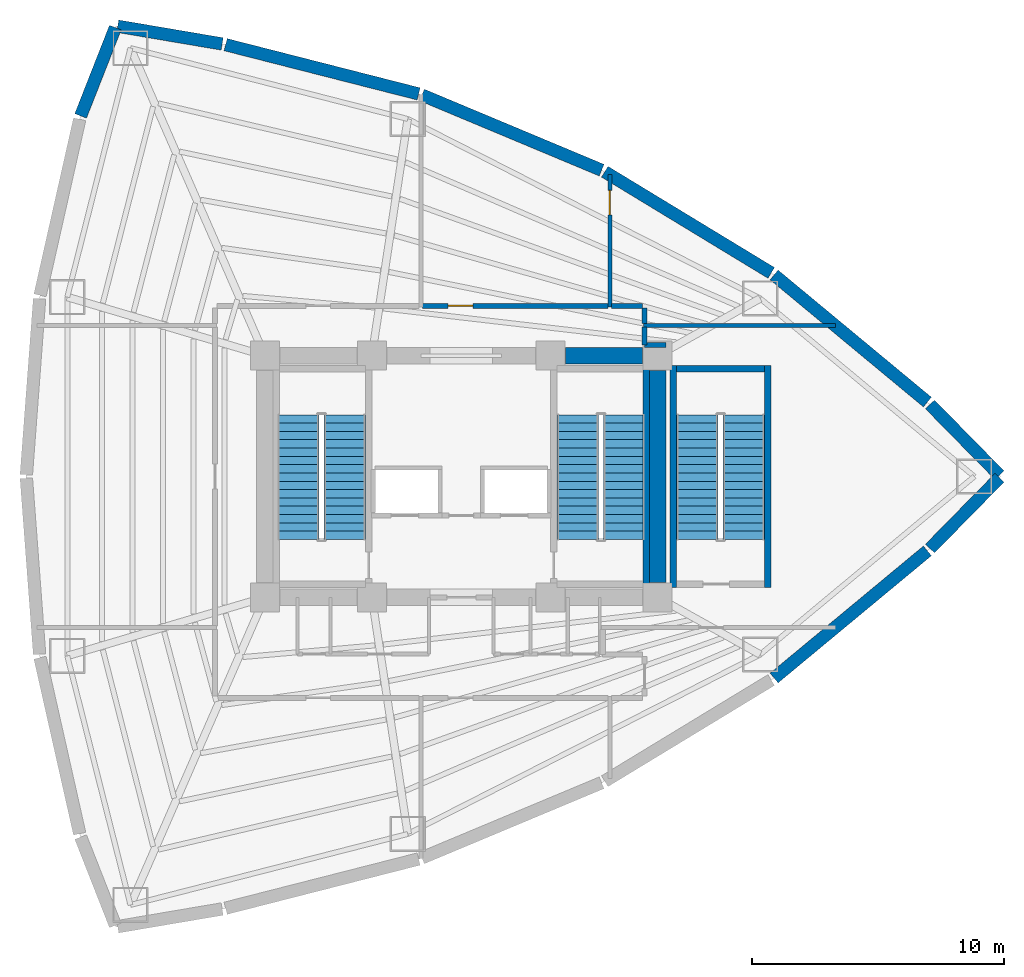
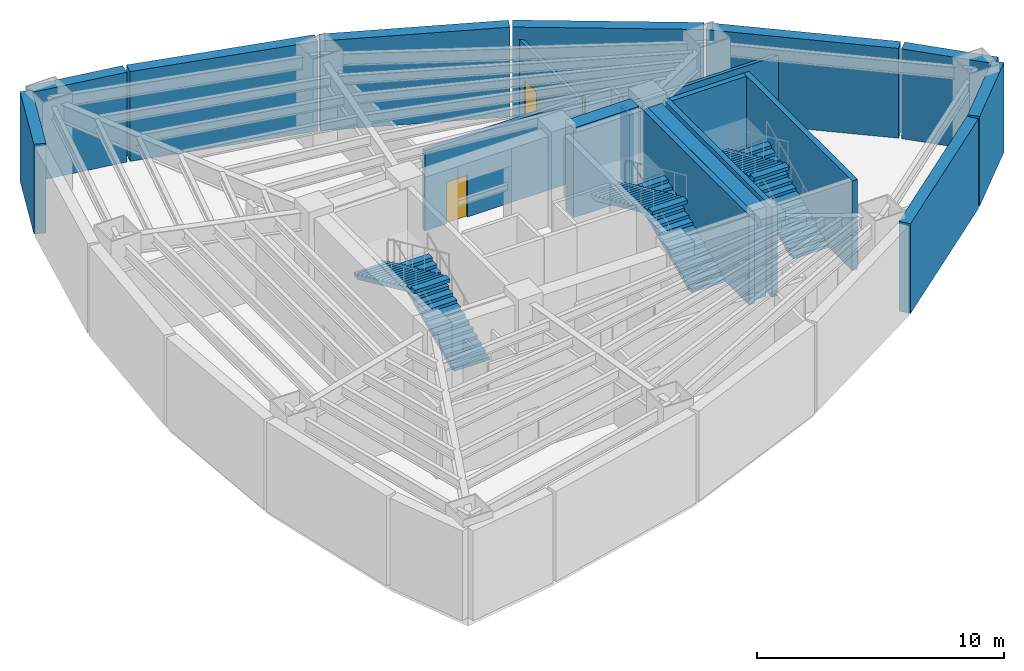
# One storey, part 4 of 5: 22 walls, 6 stair flights, 2 doors, 2 openings, 3 elements without a shape of their own.
"""IFC4 building model written with IfcOpenShell, lengths in metres."""

from ifc_helpers import new_model, si_unit, direction, frame, frame_2d, origin, place, context, subcontext, project, spatial, polyline, rectangle, outline, extrude, material, layer, layer_set, type_object, element, fill, aggregate, save


model = new_model("IFC4")

# Units and contexts
model_context = context("Model", 3, precision=1e-05, world=origin(), true_north=direction((0.0, 1.0)))
body_context = subcontext(model_context, "Body", "Model", "MODEL_VIEW")
ifc_project = project(units=[si_unit("LENGTHUNIT", "METRE"), si_unit("AREAUNIT", "SQUARE_METRE"), si_unit("VOLUMEUNIT", "CUBIC_METRE"), si_unit("PLANEANGLEUNIT", "RADIAN"), si_unit("MASSUNIT", "GRAM", prefix="KILO")], contexts=[model_context])

# Site, building, storey
site_placement = place(None, origin())
site = spatial("IfcSite", under=ifc_project, at=site_placement, CompositionType="ELEMENT")
building_placement = place(site_placement, origin())
building = spatial("IfcBuilding", under=site, at=building_placement, Name="Menara Vayukalpa", CompositionType="ELEMENT")
storey_placement = place(building_placement, frame((0.0, 0.0, -4.800048828125)))
storey = spatial("IfcBuildingStorey", under=building, at=storey_placement, Name="B01", CompositionType="ELEMENT", Elevation=-4.800048828125)

# Walls
ifc_material_1 = material(Name="Concrete C80/95", Category="concrete")
ifc_layer_1 = layer(ifc_material_1, 0.64990234375)
ifc_layer_set_1 = layer_set([ifc_layer_1], Name="Concrete C80/95")
wall_type_1 = type_object("IfcWallType", Name="WAL-CW650", PredefinedType="SHEAR", material=ifc_layer_set_1)
wall_1_placement = place(storey_placement, frame((29.7451171875, 26.800048828125, 0.0), z_axis=(0.0, 0.0, 1.0), x_axis=(1.0, 0.0, 0.0)))
element("IfcWall", 1, at=wall_1_placement, inside=storey, type_object=wall_type_1, Name="B01 Buttressed Core Shear Wall CWN4", PredefinedType="SHEAR", context=body_context, shape_type="SweptSolid", body=[
    extrude(rectangle(XDim=3.059814453125, YDim=0.64990234375, at=frame_2d((1.52978515625, 0.0))), origin(), (0.0, 0.0, 1.0), 4.43994140625),
])
wall_2_placement = place(storey_placement, frame((33.39990234375, 17.794921875, 0.0), z_axis=(0.0, 0.0, 1.0), x_axis=(0.0, 1.0, 0.0)))
element("IfcWall", 2, at=wall_2_placement, inside=storey, type_object=wall_type_1, Name="B01 Buttressed Core Shear Wall CWE1", PredefinedType="SHEAR", context=body_context, shape_type="SweptSolid", body=[
    extrude(rectangle(XDim=8.41015625, YDim=0.64990234375, at=frame_2d((4.205078125, 0.0))), origin(), (0.0, 0.0, 1.0), 4.43994140625),
])

# Wall, opening, door
ifc_material_2 = material(Name="Lightweight Concrete Blockwork C16/20", Category="masonry")
ifc_layer_2 = layer(ifc_material_2, 0.159912109375)
ifc_layer_set_2 = layer_set([ifc_layer_2], Name="Lightweight Concrete Blockwork C16/20")
wall_type_2 = type_object("IfcWallType", Name="WAL-FR150", PredefinedType="PARTITIONING", material=ifc_layer_set_2)
wall_3_placement = place(storey_placement, frame((31.5, 28.72998046875, 0.0), z_axis=(0.0, 0.0, 1.0), x_axis=(0.0, 1.0, 0.0)))
wall_3 = element("IfcWall", 3, at=wall_3_placement, inside=storey, type_object=wall_type_2, Name="B01 Interior Partition IW-B01-RDIV04", PredefinedType="PARTITIONING", context=body_context, shape_type="SweptSolid", body=[
    extrude(rectangle(XDim=5.26513671875, YDim=0.159912109375, at=frame_2d((2.632568359375, 0.0))), origin(), (0.0, 0.0, 1.0), 3.820068359375),
])
opening_1_placement = place(wall_3_placement, frame((3.65771484375, 0.0, 0.0)))
opening_1 = element("IfcOpeningElement", 4, at=opening_1_placement, cuts=wall_3, Name="Opening ID3", PredefinedType="OPENING", context=body_context, shape_type="SweptSolid", body=[
    extrude(rectangle(XDim=0.97998046875, YDim=2.06005859375, at=frame_2d((0.489990234375, 1.030029296875))), frame((0.0, 0.08984375, 0.0), z_axis=(0.0, -1.0, 0.0), x_axis=(1.0, 0.0, 0.0)), (0.0, 0.0, 1.0), 0.179931640625),
])
ifc_material_3 = material(Name="Fire-Rated Powder-Coated Steel Door", Category="steel")
door_type = type_object("IfcDoorType", Name="DR-FD60", OperationType="NOTDEFINED", PredefinedType="DOOR", material=ifc_material_3)
door_1_placement = place(opening_1_placement, origin())
door_1 = element("IfcDoor", 5, at=door_1_placement, inside=storey, type_object=door_type, Name="B01 Interior Door DR-B01-STE07", OperationType="SINGLE_SWING_RIGHT", OverallHeight=2.06005859375, OverallWidth=0.97998046875, PredefinedType="DOOR", context=body_context, shape_type="SweptSolid", body=[
    extrude(rectangle(XDim=0.97998046875, YDim=2.06005859375, at=frame_2d((0.489990234375, 1.030029296875))), frame((0.0, 0.02490234375, 0.0), z_axis=(0.0, -1.0, 0.0), x_axis=(1.0, 0.0, 0.0)), (0.0, 0.0, 1.0), 0.050048828125),
])
fill(opening_1, door_1)

# Walls
wall_4_placement = place(storey_placement, frame((32.830078125, 28.0, 0.0), z_axis=(0.0, 0.0, 1.0), x_axis=(1.0, 0.0, 0.0)))
element("IfcWall", 6, at=wall_4_placement, inside=storey, type_object=wall_type_2, Name="B01 Interior Partition IW-B01-RDIV08", PredefinedType="PARTITIONING", context=body_context, shape_type="SweptSolid", body=[
    extrude(rectangle(XDim=7.632080078125, YDim=0.159912109375, at=frame_2d((3.81591796875, 0.0))), origin(), (0.0, 0.0, 1.0), 3.52001953125),
])
ifc_material_4 = material(Name="Lightweight Concrete Blockwork C16/20", Category="masonry")
ifc_layer_3 = layer(ifc_material_4, 0.199951171875)
ifc_layer_set_3 = layer_set([ifc_layer_3], Name="Lightweight Concrete Blockwork C16/20")
wall_type_3 = type_object("IfcWallType", Name="WAL-FR200", PredefinedType="PARTITIONING", material=ifc_layer_set_3)
wall_5_placement = place(storey_placement, frame((33.739990234375, 27.219970703125, 0.0), z_axis=(0.0, 0.0, 1.0), x_axis=(-1.0, 0.0, 0.0)))
element("IfcWall", 7, at=wall_5_placement, inside=storey, type_object=wall_type_3, Name="B01 Interior Partition IW-B01-CRM06-1", PredefinedType="PARTITIONING", context=body_context, shape_type="SweptSolid", body=[
    extrude(rectangle(XDim=0.860107421875, YDim=0.199951171875, at=frame_2d((0.43017578125, 0.0))), origin(), (0.0, 0.0, 1.0), 3.52001953125),
])
wall_6_placement = place(storey_placement, frame((32.8798828125, 27.219970703125, 0.0), z_axis=(0.0, 0.0, 1.0), x_axis=(0.0, 1.0, 0.0)))
element("IfcWall", 8, at=wall_6_placement, inside=storey, type_object=wall_type_3, Name="B01 Interior Partition IW-B01-CRM06-2", PredefinedType="PARTITIONING", context=body_context, shape_type="SweptSolid", body=[
    extrude(rectangle(XDim=0.7099609375, YDim=0.199951171875, at=frame_2d((0.35498046875, 0.0))), origin(), (0.0, 0.0, 1.0), 3.570068359375),
])
wall_7_placement = place(storey_placement, frame((32.8798828125, 28.070068359375, 0.0), z_axis=(0.0, 0.0, 1.0), x_axis=(0.0, 1.0, 0.0)))
element("IfcWall", 9, at=wall_7_placement, inside=storey, type_object=wall_type_3, Name="B01 Interior Partition IW-B01-CRM07-1", PredefinedType="PARTITIONING", context=body_context, shape_type="SweptSolid", body=[
    extrude(rectangle(XDim=0.6298828125, YDim=0.199951171875, at=frame_2d((0.31494140625, 0.0))), origin(), (0.0, 0.0, 1.0), 3.969970703125),
])
wall_8_placement = place(storey_placement, frame((32.800048828125, 28.780029296875, 0.0), z_axis=(0.0, 0.0, 1.0), x_axis=(-1.0, 0.0, 0.0)))
element("IfcWall", 10, at=wall_8_placement, inside=storey, type_object=wall_type_3, Name="B01 Interior Partition IW-B01-CRM07-2", PredefinedType="PARTITIONING", context=body_context, shape_type="SweptSolid", body=[
    extrude(rectangle(XDim=1.22998046875, YDim=0.199951171875, at=frame_2d((0.614990234375, 0.0))), origin(), (0.0, 0.0, 1.0), 3.969970703125),
])

# Wall, opening, door
wall_9_placement = place(storey_placement, frame((31.429931640625, 28.780029296875, 0.0), z_axis=(0.0, 0.0, 1.0), x_axis=(-1.0, 0.0, 0.0)))
wall_9 = element("IfcWall", 11, at=wall_9_placement, inside=storey, type_object=wall_type_3, Name="B01 Interior Partition IW-B01-CRM08-1", PredefinedType="PARTITIONING", context=body_context, shape_type="SweptSolid", body=[
    extrude(rectangle(XDim=7.35986328125, YDim=0.199951171875, at=frame_2d((3.679931640625, 0.0))), origin(), (0.0, 0.0, 1.0), 3.969970703125),
])
opening_2_placement = place(wall_9_placement, frame((5.37255859375, 0.0, 0.0)))
opening_2 = element("IfcOpeningElement", 12, at=opening_2_placement, cuts=wall_9, Name="Opening ID3", PredefinedType="OPENING", context=body_context, shape_type="SweptSolid", body=[
    extrude(rectangle(XDim=0.97998046875, YDim=2.06005859375, at=frame_2d((0.489990234375, 1.030029296875))), frame((0.0, 0.10986328125, 0.0), z_axis=(0.0, -1.0, 0.0), x_axis=(1.0, 0.0, 0.0)), (0.0, 0.0, 1.0), 0.219970703125),
])
door_2_placement = place(opening_2_placement, origin())
door_2 = element("IfcDoor", 13, at=door_2_placement, inside=storey, type_object=door_type, Name="B01 Interior Door DR-B01-RM08", OperationType="SINGLE_SWING_RIGHT", OverallHeight=2.06005859375, OverallWidth=0.97998046875, PredefinedType="DOOR", context=body_context, shape_type="SweptSolid", body=[
    extrude(rectangle(XDim=0.97998046875, YDim=2.06005859375, at=frame_2d((0.489990234375, 1.030029296875))), frame((0.0, 0.02490234375, 0.0), z_axis=(0.0, -1.0, 0.0), x_axis=(1.0, 0.0, 0.0)), (0.0, 0.0, 1.0), 0.050048828125),
])
fill(opening_2, door_2)

# Walls
ifc_material_5 = material(Name="Concrete C50/60", Category="concrete")
ifc_layer_4 = layer(ifc_material_5, 0.5)
ifc_layer_set_4 = layer_set([ifc_layer_4], Name="Concrete C50/60")
wall_type_4 = type_object("IfcWallType", Name="WAL-RW500", PredefinedType="USERDEFINED", material=ifc_layer_set_4)
for number, where, z_axis, x_axis, name in (
    (14, (44.219482421875, 19.13818359375, 0.0), (0.0, 0.0, 1.0), (0.700571726223, 0.713581989975, 0.0), "B01 Diaphragm Retaining Wall 01"),
    (15, (46.980224609375, 22.0498046875, 0.0), (0.0, 0.0, 1.0), (-0.700571726223, 0.713581989975, 0.0), "B01 Diaphragm Retaining Wall 02"),
):
    element("IfcWall", number, at=place(storey_placement, frame(where, z_axis=z_axis, x_axis=x_axis)), inside=storey, type_object=wall_type_4, Name=name, ObjectType="RETAININGWALL", PredefinedType="USERDEFINED", context=body_context, shape_type="SweptSolid", body=[
        extrude(rectangle(XDim=3.940673828125, YDim=0.5, at=frame_2d((1.97021484375, 0.0))), origin(), (0.0, 0.0, 1.0), 4.43994140625),
    ])
wall_10_placement = place(storey_placement, frame((44.116455078125, 24.95654296875, 0.0), z_axis=(0.0, 0.0, 1.0), x_axis=(-0.769752042576, 0.638343005719, 0.0)))
element("IfcWall", 16, at=wall_10_placement, inside=storey, type_object=wall_type_4, Name="B01 Diaphragm Retaining Wall 03", ObjectType="RETAININGWALL", PredefinedType="USERDEFINED", context=body_context, shape_type="SweptSolid", body=[
    extrude(rectangle(XDim=7.910888671875, YDim=0.5, at=frame_2d((3.95556640625, 0.0))), origin(), (0.0, 0.0, 1.0), 4.43994140625),
])
for number, where, z_axis, x_axis, name in (
    (17, (37.913330078125, 30.08740234375, 0.0), (0.0, 0.0, 1.0), (-0.85465950116, 0.519188922337, 0.0), "B01 Diaphragm Retaining Wall 04"),
    (18, (31.1767578125, 34.16748046875, 0.0), (0.0, 0.0, 1.0), (-0.922541071148, 0.385898914283, 0.0), "B01 Diaphragm Retaining Wall 05"),
):
    element("IfcWall", number, at=place(storey_placement, frame(where, z_axis=z_axis, x_axis=x_axis)), inside=storey, type_object=wall_type_4, Name=name, ObjectType="RETAININGWALL", PredefinedType="USERDEFINED", context=body_context, shape_type="SweptSolid", body=[
        extrude(rectangle(XDim=7.73681640625, YDim=0.5, at=frame_2d((3.868408203125, 0.0))), origin(), (0.0, 0.0, 1.0), 4.43994140625),
    ])
wall_11_placement = place(storey_placement, frame((23.906982421875, 37.197265625, 0.0), z_axis=(0.0, 0.0, 1.0), x_axis=(-0.968980634568, 0.247136662259, 0.0)))
element("IfcWall", 19, at=wall_11_placement, inside=storey, type_object=wall_type_4, Name="B01 Diaphragm Retaining Wall 06", ObjectType="RETAININGWALL", PredefinedType="USERDEFINED", context=body_context, shape_type="SweptSolid", body=[
    extrude(rectangle(XDim=7.910888671875, YDim=0.5, at=frame_2d((3.95556640625, 0.0))), origin(), (0.0, 0.0, 1.0), 4.43994140625),
])
wall_12_placement = place(storey_placement, frame((16.1044921875, 39.181396484375, 0.0), z_axis=(0.0, 0.0, 1.0), x_axis=(-0.985902093333, 0.167323227205, 0.0)))
element("IfcWall", 20, at=wall_12_placement, inside=storey, type_object=wall_type_4, Name="B01 Diaphragm Retaining Wall 07", ObjectType="RETAININGWALL", PredefinedType="USERDEFINED", context=body_context, shape_type="SweptSolid", body=[
    extrude(rectangle(XDim=4.20947265625, YDim=0.5, at=frame_2d((2.104736328125, 0.0))), origin(), (0.0, 0.0, 1.0), 4.43994140625),
])
wall_13_placement = place(storey_placement, frame((11.85986328125, 39.832275390625, 0.0), z_axis=(0.0, 0.0, 1.0), x_axis=(-0.365544181941, -0.930793989586, 0.0)))
element("IfcWall", 21, at=wall_13_placement, inside=storey, type_object=wall_type_4, Name="B01 Diaphragm Retaining Wall 08", ObjectType="RETAININGWALL", PredefinedType="USERDEFINED", context=body_context, shape_type="SweptSolid", body=[
    extrude(rectangle(XDim=3.770263671875, YDim=0.5, at=frame_2d((1.88525390625, 0.0))), origin(), (0.0, 0.0, 1.0), 4.43994140625),
])
wall_14_placement = place(storey_placement, frame((38.027099609375, 13.99365234375, 0.0), z_axis=(0.0, 0.0, 1.0), x_axis=(0.769752042576, 0.638343005719, 0.0)))
element("IfcWall", 22, at=wall_14_placement, inside=storey, type_object=wall_type_4, Name="B01 Diaphragm Retaining Wall 18", ObjectType="RETAININGWALL", PredefinedType="USERDEFINED", context=body_context, shape_type="SweptSolid", body=[
    extrude(rectangle(XDim=7.910888671875, YDim=0.5, at=frame_2d((3.95556640625, 0.0))), origin(), (0.0, 0.0, 1.0), 4.43994140625),
])
ifc_material_6 = material(Name="Concrete C50/60", Category="concrete")
ifc_layer_5 = layer(ifc_material_6, 0.25)
ifc_layer_set_5 = layer_set([ifc_layer_5], Name="Concrete C50/60")
wall_type_5 = type_object("IfcWallType", Name="WAL-SW250", PredefinedType="SHEAR", material=ifc_layer_set_5)
for number, where, z_axis, x_axis, name in (
    (23, (32.946044921875, 17.60009765625, 0.0), (0.0, 0.0, 1.0), (0.0, 1.0, 0.0), "B01 ST2 Structural Stair Shaft Wall E"),
    (24, (34.02490234375, 17.60009765625, 0.0), (0.0, 0.0, 1.0), (0.0, 1.0, 0.0), "B01 ST3 Structural Stair Shaft Wall W"),
    (25, (37.77490234375, 17.60009765625, 0.0), (0.0, 0.0, 1.0), (0.0, 1.0, 0.0), "B01 ST3 Structural Stair Shaft Wall E"),
):
    element("IfcWall", number, at=place(storey_placement, frame(where, z_axis=z_axis, x_axis=x_axis)), inside=storey, type_object=wall_type_5, Name=name, PredefinedType="SHEAR", context=body_context, shape_type="SweptSolid", body=[
        extrude(rectangle(XDim=8.7998046875, YDim=0.25, at=frame_2d((4.39990234375, 0.0))), origin(), (0.0, 0.0, 1.0), 4.43994140625),
    ])
wall_15_placement = place(storey_placement, frame((34.14990234375, 26.27490234375, 0.0), z_axis=(0.0, 0.0, 1.0), x_axis=(1.0, 0.0, 0.0)))
element("IfcWall", 26, at=wall_15_placement, inside=storey, type_object=wall_type_5, Name="B01 ST3 Structural Stair Shaft Wall N", PredefinedType="SHEAR", context=body_context, shape_type="SweptSolid", body=[
    extrude(rectangle(XDim=3.5, YDim=0.25, at=frame_2d((1.75, 0.0))), origin(), (0.0, 0.0, 1.0), 4.43994140625),
])

# Stair, stair flights
ifc_material_7 = material(Name="Precast Concrete C40/50", Category="concrete")
stair_type = type_object("IfcStairType", Name="STR-T01", PredefinedType="DOUBLE_RETURN_STAIR", material=ifc_material_7)
stair_1_placement = place(storey_placement, origin())
stair_1 = element("IfcStair", 27, at=stair_1_placement, inside=storey, type_object=stair_type, Name="B01 Core Exit Stair ST-1", PredefinedType="DOUBLE_RETURN_STAIR")
ifc_material_8 = material(Name="Precast Concrete C40/50", Category="concrete")
stair_flight_type = type_object("IfcStairFlightType", Name="STF-T01", PredefinedType="STRAIGHT", material=ifc_material_8)
stair_flight_1_placement = place(storey_placement, frame((20.97509765625, 19.5, 0.0), z_axis=(0.0, 0.0, 1.0), x_axis=(0.0, 1.0, 0.0)))
stair_flight_1 = element("IfcStairFlight", 28, at=stair_flight_1_placement, type_object=stair_flight_type, Name="ST-1 flight 1", NumberOfRisers=16, NumberOfTreads=15, PredefinedType="STRAIGHT", RiserHeight=0.15, TreadLength=0.33, context=body_context, shape_type="SweptSolid", body=[
    extrude(outline(polyline([(0.0, 0.0), (0.0, 0.14990234375), (0.330078125, 0.14990234375), (0.330078125, 0.300048828125), (0.659912109375, 0.300048828125), (0.659912109375, 0.449951171875), (0.989990234375, 0.449951171875), (0.989990234375, 0.60009765625), (1.320068359375, 0.60009765625), (1.320068359375, 0.75), (1.64990234375, 0.75), (1.64990234375, 0.89990234375), (1.97998046875, 0.89990234375), (1.97998046875, 1.050048828125), (2.31005859375, 1.050048828125), (2.31005859375, 1.199951171875), (2.639892578125, 1.199951171875), (2.639892578125, 1.35009765625), (2.969970703125, 1.35009765625), (2.969970703125, 1.5), (3.300048828125, 1.5), (3.300048828125, 1.64990234375), (3.6298828125, 1.64990234375), (3.6298828125, 1.800048828125), (3.9599609375, 1.800048828125), (3.9599609375, 1.949951171875), (4.2900390625, 1.949951171875), (4.2900390625, 2.10009765625), (4.6201171875, 2.10009765625), (4.6201171875, 2.25), (4.949951171875, 2.25), (4.949951171875, 2.39990234375), (4.949951171875, 2.08544921875), (0.3623046875, 0.0), (0.0, 0.0)])), frame((0.0, 0.824951171875, 0.0), z_axis=(0.0, -1.0, 0.0), x_axis=(1.0, 0.0, 0.0)), (0.0, 0.0, 1.0), 1.64990234375),
])
stair_flight_2_placement = place(storey_placement, frame((19.125, 24.449951171875, 2.400146484375), z_axis=(0.0, 0.0, 1.0), x_axis=(0.0, -1.0, 0.0)))
stair_flight_2 = element("IfcStairFlight", 29, at=stair_flight_2_placement, type_object=stair_flight_type, Name="ST-1 flight 2", NumberOfRisers=16, NumberOfTreads=15, PredefinedType="STRAIGHT", RiserHeight=0.15, TreadLength=0.33, context=body_context, shape_type="SweptSolid", body=[
    extrude(outline(polyline([(0.0, 0.0), (0.0, 0.14990234375), (0.330078125, 0.14990234375), (0.330078125, 0.300048828125), (0.659912109375, 0.300048828125), (0.659912109375, 0.449951171875), (0.989990234375, 0.449951171875), (0.989990234375, 0.60009765625), (1.320068359375, 0.60009765625), (1.320068359375, 0.75), (1.64990234375, 0.75), (1.64990234375, 0.89990234375), (1.97998046875, 0.89990234375), (1.97998046875, 1.050048828125), (2.31005859375, 1.050048828125), (2.31005859375, 1.199951171875), (2.639892578125, 1.199951171875), (2.639892578125, 1.35009765625), (2.969970703125, 1.35009765625), (2.969970703125, 1.5), (3.300048828125, 1.5), (3.300048828125, 1.64990234375), (3.6298828125, 1.64990234375), (3.6298828125, 1.800048828125), (3.9599609375, 1.800048828125), (3.9599609375, 1.949951171875), (4.2900390625, 1.949951171875), (4.2900390625, 2.10009765625), (4.6201171875, 2.10009765625), (4.6201171875, 2.25), (4.949951171875, 2.25), (4.949951171875, 2.39990234375), (4.949951171875, 2.08544921875), (0.3623046875, 0.0), (0.0, 0.0)])), frame((0.0, 0.824951171875, 0.0), z_axis=(0.0, -1.0, 0.0), x_axis=(1.0, 0.0, 0.0)), (0.0, 0.0, 1.0), 1.64990234375),
])
aggregate(stair_1, [stair_flight_1, stair_flight_2])

stair_2_placement = place(storey_placement, origin())
stair_2 = element("IfcStair", 30, at=stair_2_placement, inside=storey, type_object=stair_type, Name="B01 Core Exit Stair ST-2", PredefinedType="DOUBLE_RETURN_STAIR")
stair_flight_3_placement = place(storey_placement, frame((32.074951171875, 19.5, 0.0), z_axis=(0.0, 0.0, 1.0), x_axis=(0.0, 1.0, 0.0)))
stair_flight_3 = element("IfcStairFlight", 31, at=stair_flight_3_placement, type_object=stair_flight_type, Name="ST-2 flight 1", NumberOfRisers=16, NumberOfTreads=15, PredefinedType="STRAIGHT", RiserHeight=0.15, TreadLength=0.33, context=body_context, shape_type="SweptSolid", body=[
    extrude(outline(polyline([(0.0, 0.0), (0.0, 0.14990234375), (0.330078125, 0.14990234375), (0.330078125, 0.300048828125), (0.659912109375, 0.300048828125), (0.659912109375, 0.449951171875), (0.989990234375, 0.449951171875), (0.989990234375, 0.60009765625), (1.320068359375, 0.60009765625), (1.320068359375, 0.75), (1.64990234375, 0.75), (1.64990234375, 0.89990234375), (1.97998046875, 0.89990234375), (1.97998046875, 1.050048828125), (2.31005859375, 1.050048828125), (2.31005859375, 1.199951171875), (2.639892578125, 1.199951171875), (2.639892578125, 1.35009765625), (2.969970703125, 1.35009765625), (2.969970703125, 1.5), (3.300048828125, 1.5), (3.300048828125, 1.64990234375), (3.6298828125, 1.64990234375), (3.6298828125, 1.800048828125), (3.9599609375, 1.800048828125), (3.9599609375, 1.949951171875), (4.2900390625, 1.949951171875), (4.2900390625, 2.10009765625), (4.6201171875, 2.10009765625), (4.6201171875, 2.25), (4.949951171875, 2.25), (4.949951171875, 2.39990234375), (4.949951171875, 2.08544921875), (0.3623046875, 0.0), (0.0, 0.0)])), frame((0.0, 0.824951171875, 0.0), z_axis=(0.0, -1.0, 0.0), x_axis=(1.0, 0.0, 0.0)), (0.0, 0.0, 1.0), 1.64990234375),
])
stair_flight_4_placement = place(storey_placement, frame((30.22509765625, 24.449951171875, 2.400146484375), z_axis=(0.0, 0.0, 1.0), x_axis=(0.0, -1.0, 0.0)))
stair_flight_4 = element("IfcStairFlight", 32, at=stair_flight_4_placement, type_object=stair_flight_type, Name="ST-2 flight 2", NumberOfRisers=16, NumberOfTreads=15, PredefinedType="STRAIGHT", RiserHeight=0.15, TreadLength=0.33, context=body_context, shape_type="SweptSolid", body=[
    extrude(outline(polyline([(0.0, 0.0), (0.0, 0.14990234375), (0.330078125, 0.14990234375), (0.330078125, 0.300048828125), (0.659912109375, 0.300048828125), (0.659912109375, 0.449951171875), (0.989990234375, 0.449951171875), (0.989990234375, 0.60009765625), (1.320068359375, 0.60009765625), (1.320068359375, 0.75), (1.64990234375, 0.75), (1.64990234375, 0.89990234375), (1.97998046875, 0.89990234375), (1.97998046875, 1.050048828125), (2.31005859375, 1.050048828125), (2.31005859375, 1.199951171875), (2.639892578125, 1.199951171875), (2.639892578125, 1.35009765625), (2.969970703125, 1.35009765625), (2.969970703125, 1.5), (3.300048828125, 1.5), (3.300048828125, 1.64990234375), (3.6298828125, 1.64990234375), (3.6298828125, 1.800048828125), (3.9599609375, 1.800048828125), (3.9599609375, 1.949951171875), (4.2900390625, 1.949951171875), (4.2900390625, 2.10009765625), (4.6201171875, 2.10009765625), (4.6201171875, 2.25), (4.949951171875, 2.25), (4.949951171875, 2.39990234375), (4.949951171875, 2.08544921875), (0.3623046875, 0.0), (0.0, 0.0)])), frame((0.0, 0.824951171875, 0.0), z_axis=(0.0, -1.0, 0.0), x_axis=(1.0, 0.0, 0.0)), (0.0, 0.0, 1.0), 1.64990234375),
])
aggregate(stair_2, [stair_flight_3, stair_flight_4])

stair_3_placement = place(storey_placement, origin())
stair_3 = element("IfcStair", 33, at=stair_3_placement, inside=storey, type_object=stair_type, Name="B01 Podium Exit Stair ST-3", PredefinedType="DOUBLE_RETURN_STAIR")
stair_flight_5_placement = place(storey_placement, frame((36.824951171875, 19.5, 0.0), z_axis=(0.0, 0.0, 1.0), x_axis=(0.0, 1.0, 0.0)))
stair_flight_5 = element("IfcStairFlight", 34, at=stair_flight_5_placement, type_object=stair_flight_type, Name="ST-3 flight 1", NumberOfRisers=16, NumberOfTreads=15, PredefinedType="STRAIGHT", RiserHeight=0.15, TreadLength=0.33, context=body_context, shape_type="SweptSolid", body=[
    extrude(outline(polyline([(0.0, 0.0), (0.0, 0.14990234375), (0.330078125, 0.14990234375), (0.330078125, 0.300048828125), (0.659912109375, 0.300048828125), (0.659912109375, 0.449951171875), (0.989990234375, 0.449951171875), (0.989990234375, 0.60009765625), (1.320068359375, 0.60009765625), (1.320068359375, 0.75), (1.64990234375, 0.75), (1.64990234375, 0.89990234375), (1.97998046875, 0.89990234375), (1.97998046875, 1.050048828125), (2.31005859375, 1.050048828125), (2.31005859375, 1.199951171875), (2.639892578125, 1.199951171875), (2.639892578125, 1.35009765625), (2.969970703125, 1.35009765625), (2.969970703125, 1.5), (3.300048828125, 1.5), (3.300048828125, 1.64990234375), (3.6298828125, 1.64990234375), (3.6298828125, 1.800048828125), (3.9599609375, 1.800048828125), (3.9599609375, 1.949951171875), (4.2900390625, 1.949951171875), (4.2900390625, 2.10009765625), (4.6201171875, 2.10009765625), (4.6201171875, 2.25), (4.949951171875, 2.25), (4.949951171875, 2.39990234375), (4.949951171875, 2.08544921875), (0.3623046875, 0.0), (0.0, 0.0)])), frame((0.0, 0.824951171875, 0.0), z_axis=(0.0, -1.0, 0.0), x_axis=(1.0, 0.0, 0.0)), (0.0, 0.0, 1.0), 1.64990234375),
])
stair_flight_6_placement = place(storey_placement, frame((34.97509765625, 24.449951171875, 2.400146484375), z_axis=(0.0, 0.0, 1.0), x_axis=(0.0, -1.0, 0.0)))
stair_flight_6 = element("IfcStairFlight", 35, at=stair_flight_6_placement, type_object=stair_flight_type, Name="ST-3 flight 2", NumberOfRisers=16, NumberOfTreads=15, PredefinedType="STRAIGHT", RiserHeight=0.15, TreadLength=0.33, context=body_context, shape_type="SweptSolid", body=[
    extrude(outline(polyline([(0.0, 0.0), (0.0, 0.14990234375), (0.330078125, 0.14990234375), (0.330078125, 0.300048828125), (0.659912109375, 0.300048828125), (0.659912109375, 0.449951171875), (0.989990234375, 0.449951171875), (0.989990234375, 0.60009765625), (1.320068359375, 0.60009765625), (1.320068359375, 0.75), (1.64990234375, 0.75), (1.64990234375, 0.89990234375), (1.97998046875, 0.89990234375), (1.97998046875, 1.050048828125), (2.31005859375, 1.050048828125), (2.31005859375, 1.199951171875), (2.639892578125, 1.199951171875), (2.639892578125, 1.35009765625), (2.969970703125, 1.35009765625), (2.969970703125, 1.5), (3.300048828125, 1.5), (3.300048828125, 1.64990234375), (3.6298828125, 1.64990234375), (3.6298828125, 1.800048828125), (3.9599609375, 1.800048828125), (3.9599609375, 1.949951171875), (4.2900390625, 1.949951171875), (4.2900390625, 2.10009765625), (4.6201171875, 2.10009765625), (4.6201171875, 2.25), (4.949951171875, 2.25), (4.949951171875, 2.39990234375), (4.949951171875, 2.08544921875), (0.3623046875, 0.0), (0.0, 0.0)])), frame((0.0, 0.824951171875, 0.0), z_axis=(0.0, -1.0, 0.0), x_axis=(1.0, 0.0, 0.0)), (0.0, 0.0, 1.0), 1.64990234375),
])
aggregate(stair_3, [stair_flight_5, stair_flight_6])

save(model, "model.ifc")
